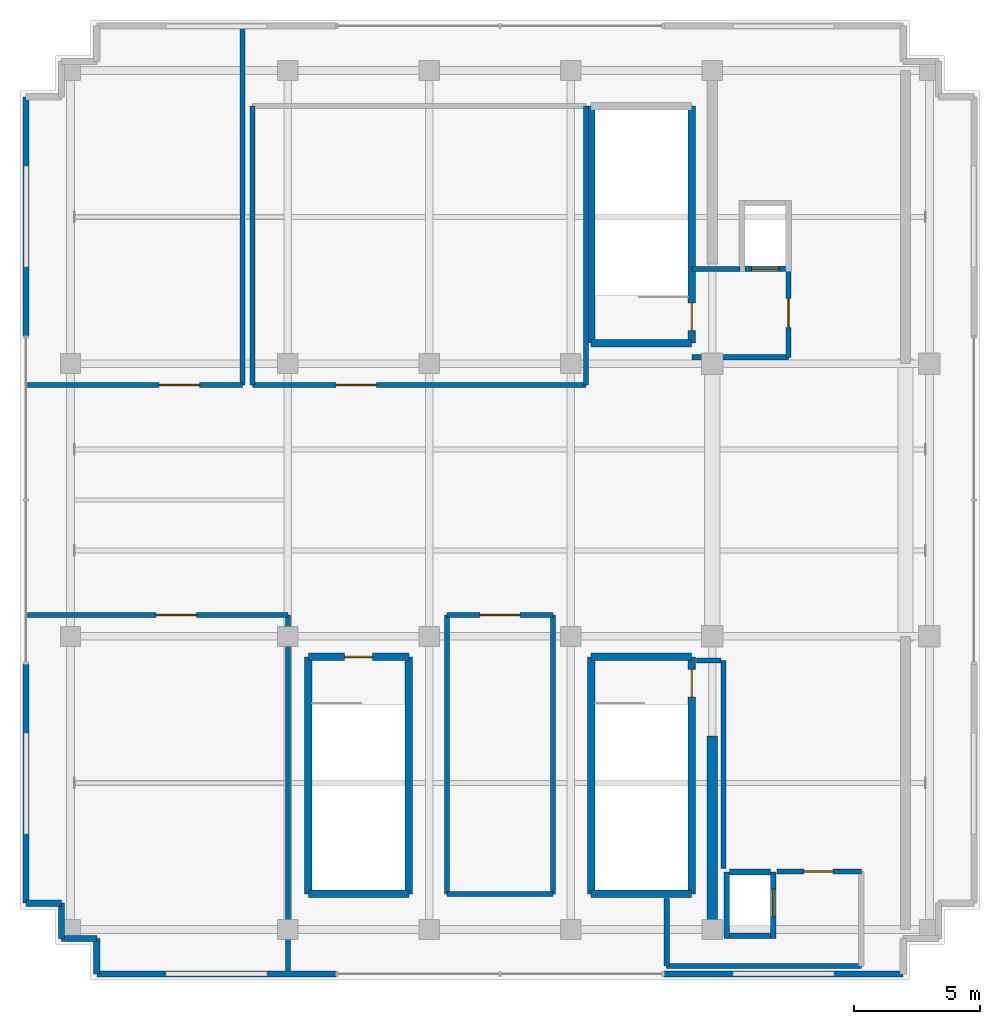
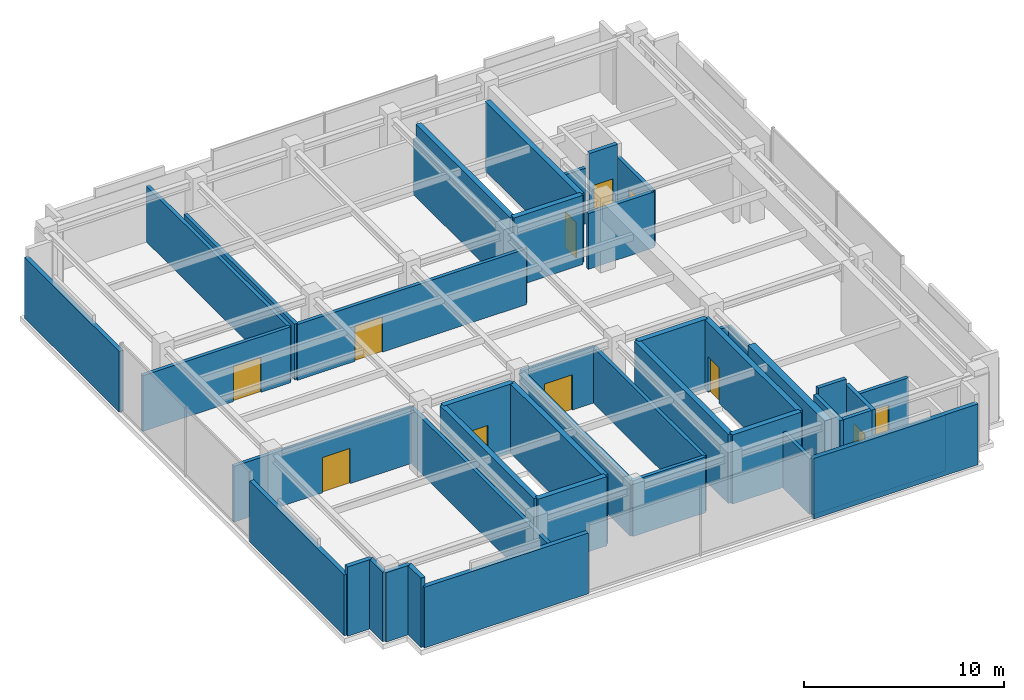
# One storey, part 19 of 21: 44 walls, 11 doors, 11 openings.
"""IFC4 building model written with IfcOpenShell, lengths in metres."""

from ifc_helpers import new_model, si_unit, direction, frame, frame_2d, origin, place, context, subcontext, project, spatial, rectangle, extrude, source, transform, mapped, material, layer, layer_set, type_object, element, fill, save


model = new_model("IFC4")

# Units and contexts
model_context = context("Model", 3, precision=1e-05, world=origin(), true_north=direction((0.0, 1.0)))
body_context = subcontext(model_context, "Body", "Model", "MODEL_VIEW")
ifc_project = project(units=[si_unit("LENGTHUNIT", "METRE"), si_unit("AREAUNIT", "SQUARE_METRE"), si_unit("VOLUMEUNIT", "CUBIC_METRE"), si_unit("PLANEANGLEUNIT", "RADIAN"), si_unit("MASSUNIT", "GRAM", prefix="KILO")], contexts=[model_context])

# Site, building, storey
site_placement = place(None, origin())
site = spatial("IfcSite", under=ifc_project, at=site_placement, CompositionType="ELEMENT")
building_placement = place(site_placement, origin())
building = spatial("IfcBuilding", under=site, at=building_placement, Name="Nahalor Promenade Grand Hotel", CompositionType="ELEMENT")
storey_placement = place(building_placement, frame((0.0, 0.0, 370.85009765625)))
storey = spatial("IfcBuildingStorey", under=building, at=storey_placement, Name="L94", CompositionType="ELEMENT", Elevation=370.85009765625)

# Walls
ifc_material_1 = material(Name="Concrete B-50 (C40/50)", Category="concrete")
ifc_layer_1 = layer(ifc_material_1, 0.39990234375)
ifc_layer_set_1 = layer_set([ifc_layer_1], Name="Concrete B-50 (C40/50)")
wall_type_1 = type_object("IfcWallType", Name="Wall-CoreShear-400", PredefinedType="SHEAR", material=ifc_layer_set_1)
shared_shape_1 = source(origin(), body_context, "Body", "SweptSolid", [
    extrude(rectangle(XDim=7.64990234375, YDim=0.39990234375, at=frame_2d((3.824951171875, 0.0))), origin(), (0.0, 0.0, 1.0), 4.219970703125),
])
wall_1_placement = place(storey_placement, frame((8.39990234375, -17.0, 0.0), z_axis=(0.0, 0.0, 1.0), x_axis=(0.0, 1.0, 0.0)))
element("IfcWall", 1, at=wall_1_placement, inside=storey, type_object=wall_type_1, Name="CWALL-L94-SW", PredefinedType="SHEAR", context=body_context, shape_type="MappedRepresentation", body=[
    mapped(shared_shape_1, transform((0.0, 0.0, 0.0), scale=1.0)),
])
ifc_layer_2 = layer(ifc_material_1, 0.300048828125)
ifc_layer_set_2 = layer_set([ifc_layer_2], Name="Concrete B-50 (C40/50)")
wall_type_2 = type_object("IfcWallType", Name="Wall-ShaftShear-300", PredefinedType="SHEAR", material=ifc_layer_set_2)
shared_shape_2 = source(origin(), body_context, "Body", "SweptSolid", [
    extrude(rectangle(XDim=3.97998046875, YDim=0.300048828125, at=frame_2d((1.989990234375, 0.0))), origin(), (0.0, 0.0, 1.0), 4.219970703125),
])
for number, where, z_axis, x_axis, name in (
    (2, (3.610107421875, 6.2099609375, 0.0), (0.0, 0.0, 1.0), (1.0, 0.0, 0.0), "L94 Exit Stair ST1 Shaft Wall S"),
    (3, (3.610107421875, -15.590087890625, 0.0), (0.0, 0.0, 1.0), (1.0, 0.0, 0.0), "L94 Exit Stair ST2 Shaft Wall S"),
    (4, (3.610107421875, -6.2099609375, 0.0), (0.0, 0.0, 1.0), (1.0, 0.0, 0.0), "L94 Exit Stair ST2 Shaft Wall N"),
    (5, (-7.590087890625, -15.590087890625, 0.0), (0.0, 0.0, 1.0), (1.0, 0.0, 0.0), "L94 Exit Stair ST3 Shaft Wall S"),
):
    element("IfcWall", number, at=place(storey_placement, frame(where, z_axis=z_axis, x_axis=x_axis)), inside=storey, type_object=wall_type_2, Name=name, PredefinedType="SHEAR", context=body_context, shape_type="MappedRepresentation", body=[
        mapped(shared_shape_2, transform((0.0, 0.0, 0.0), scale=1.0)),
    ])

# Wall, opening, door
wall_2_placement = place(storey_placement, frame((-7.590087890625, -6.2099609375, 0.0), z_axis=(0.0, 0.0, 1.0), x_axis=(1.0, 0.0, 0.0)))
wall_2 = element("IfcWall", 6, at=wall_2_placement, inside=storey, type_object=wall_type_2, Name="L94 Exit Stair ST3 Shaft Wall N", PredefinedType="SHEAR", context=body_context, shape_type="MappedRepresentation", body=[
    mapped(shared_shape_2, transform((0.0, 0.0, 0.0), scale=1.0)),
])
opening_1_placement = place(wall_2_placement, frame((1.43994140625, 0.0, 0.0)))
opening_1 = element("IfcOpeningElement", 7, at=opening_1_placement, cuts=wall_2, Name="Opening D-ST1", PredefinedType="OPENING", context=body_context, shape_type="SweptSolid", body=[
    extrude(rectangle(XDim=1.10009765625, YDim=2.14990234375, at=frame_2d((0.550048828125, 1.074951171875))), frame((0.0, 0.159912109375, 0.0), z_axis=(0.0, -1.0, 0.0), x_axis=(1.0, 0.0, 0.0)), (0.0, 0.0, 1.0), 0.320068359375),
])
ifc_material_2 = material(Name="Steel S355JR", Category="steel")
door_type_1 = type_object("IfcDoorType", Name="Door-StairFire-1100", OperationType="NOTDEFINED", PredefinedType="DOOR", material=ifc_material_2)
shared_shape_3 = source(origin(), body_context, "Body", "SweptSolid", [
    extrude(rectangle(XDim=1.10009765625, YDim=2.14990234375, at=frame_2d((0.550048828125, 1.074951171875))), frame((0.0, 0.02490234375, 0.0), z_axis=(0.0, -1.0, 0.0), x_axis=(1.0, 0.0, 0.0)), (0.0, 0.0, 1.0), 0.050048828125),
])
door_1_placement = place(opening_1_placement, frame((1.10009765625, 0.0, 0.0), z_axis=(0.0, 0.0, 1.0), x_axis=(-1.0, 0.0, 0.0)))
door_1 = element("IfcDoor", 8, at=door_1_placement, inside=storey, type_object=door_type_1, Name="DR-STAIR-ST3-L94", OperationType="SINGLE_SWING_LEFT", OverallHeight=2.14990234375, OverallWidth=1.10009765625, PredefinedType="DOOR", context=body_context, shape_type="MappedRepresentation", body=[
    mapped(shared_shape_3, transform((0.0, 0.0, 0.0), scale=1.0)),
])
fill(opening_1, door_1)

# Wall
shared_shape_4 = source(origin(), body_context, "Body", "SweptSolid", [
    extrude(rectangle(XDim=9.380126953125, YDim=0.300048828125, at=frame_2d((4.68994140625, 0.0))), origin(), (0.0, 0.0, 1.0), 4.219970703125),
])
wall_3_placement = place(storey_placement, frame((3.610107421875, 6.2099609375, 0.0), z_axis=(0.0, 0.0, 1.0), x_axis=(0.0, 1.0, 0.0)))
element("IfcWall", 9, at=wall_3_placement, inside=storey, type_object=wall_type_2, Name="L94 Exit Stair ST1 Shaft Wall W", PredefinedType="SHEAR", context=body_context, shape_type="MappedRepresentation", body=[
    mapped(shared_shape_4, transform((0.0, 0.0, 0.0), scale=1.0)),
])

# Wall, opening, door
wall_4_placement = place(storey_placement, frame((7.590087890625, 6.2099609375, 0.0), z_axis=(0.0, 0.0, 1.0), x_axis=(0.0, 1.0, 0.0)))
wall_4 = element("IfcWall", 10, at=wall_4_placement, inside=storey, type_object=wall_type_2, Name="L94 Exit Stair ST1 Shaft Wall E", PredefinedType="SHEAR", context=body_context, shape_type="MappedRepresentation", body=[
    mapped(shared_shape_4, transform((0.0, 0.0, 0.0), scale=1.0)),
])
opening_2_placement = place(wall_4_placement, frame((0.489990234375, 0.0, 0.0)))
opening_2 = element("IfcOpeningElement", 11, at=opening_2_placement, cuts=wall_4, Name="Opening D-ST1", PredefinedType="OPENING", context=body_context, shape_type="SweptSolid", body=[
    extrude(rectangle(XDim=1.10009765625, YDim=2.14990234375, at=frame_2d((0.550048828125, 1.074951171875))), frame((0.0, 0.159912109375, 0.0), z_axis=(0.0, -1.0, 0.0), x_axis=(1.0, 0.0, 0.0)), (0.0, 0.0, 1.0), 0.320068359375),
])
door_2_placement = place(opening_2_placement, origin())
door_2 = element("IfcDoor", 12, at=door_2_placement, inside=storey, type_object=door_type_1, Name="DR-STAIR-ST1-L94", OperationType="SINGLE_SWING_LEFT", OverallHeight=2.14990234375, OverallWidth=1.10009765625, PredefinedType="DOOR", context=body_context, shape_type="MappedRepresentation", body=[
    mapped(shared_shape_3, transform((0.0, 0.0, 0.0), scale=1.0)),
])
fill(opening_2, door_2)

# Wall
wall_5_placement = place(storey_placement, frame((3.610107421875, -15.590087890625, 0.0), z_axis=(0.0, 0.0, 1.0), x_axis=(0.0, 1.0, 0.0)))
element("IfcWall", 13, at=wall_5_placement, inside=storey, type_object=wall_type_2, Name="L94 Exit Stair ST2 Shaft Wall W", PredefinedType="SHEAR", context=body_context, shape_type="MappedRepresentation", body=[
    mapped(shared_shape_4, transform((0.0, 0.0, 0.0), scale=1.0)),
])

# Wall, opening, door
wall_6_placement = place(storey_placement, frame((7.590087890625, -15.590087890625, 0.0), z_axis=(0.0, 0.0, 1.0), x_axis=(0.0, 1.0, 0.0)))
wall_6 = element("IfcWall", 14, at=wall_6_placement, inside=storey, type_object=wall_type_2, Name="L94 Exit Stair ST2 Shaft Wall E", PredefinedType="SHEAR", context=body_context, shape_type="MappedRepresentation", body=[
    mapped(shared_shape_4, transform((0.0, 0.0, 0.0), scale=1.0)),
])
opening_3_placement = place(wall_6_placement, frame((7.7900390625, 0.0, 0.0)))
opening_3 = element("IfcOpeningElement", 15, at=opening_3_placement, cuts=wall_6, Name="Opening D-ST1", PredefinedType="OPENING", context=body_context, shape_type="SweptSolid", body=[
    extrude(rectangle(XDim=1.10009765625, YDim=2.14990234375, at=frame_2d((0.550048828125, 1.074951171875))), frame((0.0, 0.159912109375, 0.0), z_axis=(0.0, -1.0, 0.0), x_axis=(1.0, 0.0, 0.0)), (0.0, 0.0, 1.0), 0.320068359375),
])
door_3_placement = place(opening_3_placement, origin())
door_3 = element("IfcDoor", 16, at=door_3_placement, inside=storey, type_object=door_type_1, Name="DR-STAIR-ST2-L94", OperationType="SINGLE_SWING_LEFT", OverallHeight=2.14990234375, OverallWidth=1.10009765625, PredefinedType="DOOR", context=body_context, shape_type="MappedRepresentation", body=[
    mapped(shared_shape_3, transform((0.0, 0.0, 0.0), scale=1.0)),
])
fill(opening_3, door_3)

# Walls
for number, where, z_axis, x_axis, name in (
    (17, (-7.590087890625, -15.590087890625, 0.0), (0.0, 0.0, 1.0), (0.0, 1.0, 0.0), "L94 Exit Stair ST3 Shaft Wall W"),
    (18, (-3.610107421875, -15.590087890625, 0.0), (0.0, 0.0, 1.0), (0.0, 1.0, 0.0), "L94 Exit Stair ST3 Shaft Wall E"),
):
    element("IfcWall", number, at=place(storey_placement, frame(where, z_axis=z_axis, x_axis=x_axis)), inside=storey, type_object=wall_type_2, Name=name, PredefinedType="SHEAR", context=body_context, shape_type="MappedRepresentation", body=[
        mapped(shared_shape_4, transform((0.0, 0.0, 0.0), scale=1.0)),
    ])

# Wall, opening, door
ifc_layer_3 = layer(ifc_material_1, 0.219970703125)
ifc_layer_set_3 = layer_set([ifc_layer_3], Name="Concrete B-50 (C40/50)")
wall_type_3 = type_object("IfcWallType", Name="Wall-LiftShaft-220", PredefinedType="SHEAR", material=ifc_layer_set_3)
shared_shape_5 = source(origin(), body_context, "Body", "SweptSolid", [
    extrude(rectangle(XDim=1.6201171875, YDim=0.219970703125, at=frame_2d((0.81005859375, 0.0))), origin(), (0.0, 0.0, 1.0), 4.219970703125),
])
wall_7_placement = place(storey_placement, frame((9.68994140625, 9.14990234375, 0.0), z_axis=(0.0, 0.0, 1.0), x_axis=(1.0, 0.0, 0.0)))
wall_7 = element("IfcWall", 19, at=wall_7_placement, inside=storey, type_object=wall_type_3, Name="L94 Lift FL1 Hoistway Wall S", PredefinedType="SHEAR", context=body_context, shape_type="MappedRepresentation", body=[
    mapped(shared_shape_5, transform((0.0, 0.0, 0.0), scale=1.0)),
])
opening_4_placement = place(wall_7_placement, frame((0.260009765625, 0.0, 0.0)))
opening_4 = element("IfcOpeningElement", 20, at=opening_4_placement, cuts=wall_7, Name="Opening LD-02", PredefinedType="OPENING", context=body_context, shape_type="SweptSolid", body=[
    extrude(rectangle(XDim=1.10009765625, YDim=2.199951171875, at=frame_2d((0.550048828125, 1.10009765625))), frame((0.0, 0.119873046875, 0.0), z_axis=(0.0, -1.0, 0.0), x_axis=(1.0, 0.0, 0.0)), (0.0, 0.0, 1.0), 0.239990234375),
])
door_type_2 = type_object("IfcDoorType", Name="Door-LiftFF-1100", OperationType="DOUBLE_DOOR_SLIDING", PredefinedType="DOOR", material=ifc_material_2)
shared_shape_6 = source(origin(), body_context, "Body", "SweptSolid", [
    extrude(rectangle(XDim=1.10009765625, YDim=2.199951171875, at=frame_2d((0.550048828125, 1.10009765625))), frame((0.0, 0.02490234375, 0.0), z_axis=(0.0, -1.0, 0.0), x_axis=(1.0, 0.0, 0.0)), (0.0, 0.0, 1.0), 0.050048828125),
])
door_4_placement = place(opening_4_placement, frame((1.10009765625, 0.0, 0.0), z_axis=(0.0, 0.0, 1.0), x_axis=(-1.0, 0.0, 0.0)))
door_4 = element("IfcDoor", 21, at=door_4_placement, inside=storey, type_object=door_type_2, Name="DR-LIFT-FL1-L94", OperationType="DOUBLE_DOOR_SLIDING", OverallHeight=2.199951171875, OverallWidth=1.10009765625, PredefinedType="DOOR", context=body_context, shape_type="MappedRepresentation", body=[
    mapped(shared_shape_6, transform((0.0, 0.0, 0.0), scale=1.0)),
])
fill(opening_4, door_4)

# Walls
shared_shape_7 = source(origin(), body_context, "Body", "SweptSolid", [
    extrude(rectangle(XDim=1.619873046875, YDim=0.219970703125, at=frame_2d((0.81005859375, 0.0))), origin(), (0.0, 0.0, 1.0), 4.599853515625),
])
wall_8_placement = place(storey_placement, frame((9.090087890625, -14.72509765625, 0.0), z_axis=(0.0, 0.0, 1.0), x_axis=(1.0, 0.0, 0.0)))
element("IfcWall", 22, at=wall_8_placement, inside=storey, type_object=wall_type_3, Name="L94 Lift FL2 Hoistway Wall N", PredefinedType="SHEAR", context=body_context, shape_type="MappedRepresentation", body=[
    mapped(shared_shape_7, transform((0.0, 0.0, 0.0), scale=1.0)),
])
shared_shape_8 = source(origin(), body_context, "Body", "SweptSolid", [
    extrude(rectangle(XDim=2.635009765625, YDim=0.219970703125, at=frame_2d((1.3173828125, 0.0))), origin(), (0.0, 0.0, 1.0), 4.219970703125),
])
wall_9_placement = place(storey_placement, frame((8.97998046875, -17.360107421875, 0.0), z_axis=(0.0, 0.0, 1.0), x_axis=(0.0, 1.0, 0.0)))
element("IfcWall", 23, at=wall_9_placement, inside=storey, type_object=wall_type_3, Name="L94 Lift FL2 Hoistway Wall W", PredefinedType="SHEAR", context=body_context, shape_type="MappedRepresentation", body=[
    mapped(shared_shape_8, transform((0.0, 0.0, 0.0), scale=1.0)),
])

# Wall, opening, door
wall_10_placement = place(storey_placement, frame((10.820068359375, -17.360107421875, 0.0), z_axis=(0.0, 0.0, 1.0), x_axis=(0.0, 1.0, 0.0)))
wall_10 = element("IfcWall", 24, at=wall_10_placement, inside=storey, type_object=wall_type_3, Name="L94 Lift FL2 Hoistway Wall E", PredefinedType="SHEAR", context=body_context, shape_type="MappedRepresentation", body=[
    mapped(shared_shape_8, transform((0.0, 0.0, 0.0), scale=1.0)),
])
opening_5_placement = place(wall_10_placement, frame((0.860107421875, 0.0, 0.0)))
opening_5 = element("IfcOpeningElement", 25, at=opening_5_placement, cuts=wall_10, Name="Opening LD-02", PredefinedType="OPENING", context=body_context, shape_type="SweptSolid", body=[
    extrude(rectangle(XDim=1.10009765625, YDim=2.199951171875, at=frame_2d((0.550048828125, 1.10009765625))), frame((0.0, 0.119873046875, 0.0), z_axis=(0.0, -1.0, 0.0), x_axis=(1.0, 0.0, 0.0)), (0.0, 0.0, 1.0), 0.239990234375),
])
door_5_placement = place(opening_5_placement, frame((1.10009765625, 0.0, 0.0), z_axis=(0.0, 0.0, 1.0), x_axis=(-1.0, 0.0, 0.0)))
door_5 = element("IfcDoor", 26, at=door_5_placement, inside=storey, type_object=door_type_2, Name="DR-LIFT-FL2-L94", OperationType="DOUBLE_DOOR_SLIDING", OverallHeight=2.199951171875, OverallWidth=1.10009765625, PredefinedType="DOOR", context=body_context, shape_type="MappedRepresentation", body=[
    mapped(shared_shape_6, transform((0.0, 0.0, 0.0), scale=1.0)),
])
fill(opening_5, door_5)

# Walls
shared_shape_9 = source(origin(), body_context, "Body", "SweptSolid", [
    extrude(rectangle(XDim=1.619873046875, YDim=0.219970703125, at=frame_2d((0.81005859375, 0.0))), origin(), (0.0, 0.0, 1.0), 4.219970703125),
])
wall_11_placement = place(storey_placement, frame((9.090087890625, -17.25, 0.0), z_axis=(0.0, 0.0, 1.0), x_axis=(1.0, 0.0, 0.0)))
element("IfcWall", 27, at=wall_11_placement, inside=storey, type_object=wall_type_3, Name="L94 Lift FL2 Hoistway Wall S", PredefinedType="SHEAR", context=body_context, shape_type="MappedRepresentation", body=[
    mapped(shared_shape_9, transform((0.0, 0.0, 0.0), scale=1.0)),
])
ifc_material_3 = material(Name="Concrete B-40 (C32/40)", Category="concrete")
ifc_layer_4 = layer(ifc_material_3, 0.25)
ifc_layer_set_4 = layer_set([ifc_layer_4], Name="Concrete B-40 (C32/40)")
wall_type_4 = type_object("IfcWallType", Name="Wall-BronzePier-250", PredefinedType="STANDARD", material=ifc_layer_set_4)
shared_shape_10 = source(origin(), body_context, "Body", "SweptSolid", [
    extrude(rectangle(XDim=1.39990234375, YDim=0.25, at=frame_2d((0.699951171875, 0.0))), origin(), (0.0, 0.0, 1.0), 4.219970703125),
])
for number, where, z_axis, x_axis, name in (
    (28, (-18.760009765625, -15.9599609375, 0.0), (0.0, 0.0, 1.0), (1.0, 0.0, 0.0), "W-L94-SR-13"),
    (29, (-15.9599609375, -18.760009765625, 0.0), (0.0, 0.0, 1.0), (0.0, 1.0, 0.0), "W-L94-SR-16"),
):
    element("IfcWall", number, at=place(storey_placement, frame(where, z_axis=z_axis, x_axis=x_axis)), inside=storey, type_object=wall_type_4, Name=name, PredefinedType="STANDARD", context=body_context, shape_type="MappedRepresentation", body=[
        mapped(shared_shape_10, transform((0.0, 0.0, 0.0), scale=1.0)),
    ])
shared_shape_11 = source(origin(), body_context, "Body", "SweptSolid", [
    extrude(rectangle(XDim=1.400146484375, YDim=0.25, at=frame_2d((0.7001953125, 0.0))), origin(), (0.0, 0.0, 1.0), 4.219970703125),
])
for number, where, z_axis, x_axis, name in (
    (30, (-17.360107421875, -17.360107421875, 0.0), (0.0, 0.0, 1.0), (0.0, 1.0, 0.0), "W-L94-SR-14"),
    (31, (-17.360107421875, -17.360107421875, 0.0), (0.0, 0.0, 1.0), (1.0, 0.0, 0.0), "W-L94-SR-15"),
):
    element("IfcWall", number, at=place(storey_placement, frame(where, z_axis=z_axis, x_axis=x_axis)), inside=storey, type_object=wall_type_4, Name=name, PredefinedType="STANDARD", context=body_context, shape_type="MappedRepresentation", body=[
        mapped(shared_shape_11, transform((0.0, 0.0, 0.0), scale=1.0)),
    ])
shared_shape_12 = source(origin(), body_context, "Body", "SweptSolid", [
    extrude(rectangle(XDim=9.4599609375, YDim=0.25, at=frame_2d((4.72998046875, 0.0))), origin(), (0.0, 0.0, 1.0), 3.699951171875),
])
for number, where, z_axis, x_axis, name in (
    (32, (-15.9599609375, -18.760009765625, 0.0), (0.0, 0.0, 1.0), (1.0, 0.0, 0.0), "W-L94-PL-SL"),
    (33, (6.5, -18.760009765625, 0.0), (0.0, 0.0, 1.0), (1.0, 0.0, 0.0), "W-L94-PL-SR"),
    (34, (-18.760009765625, -15.9599609375, 0.0), (0.0, 0.0, 1.0), (0.0, 1.0, 0.0), "W-L94-PL-WL"),
    (35, (-18.760009765625, 6.5, 0.0), (0.0, 0.0, 1.0), (0.0, 1.0, 0.0), "W-L94-PL-WR"),
):
    element("IfcWall", number, at=place(storey_placement, frame(where, z_axis=z_axis, x_axis=x_axis)), inside=storey, type_object=wall_type_4, Name=name, PredefinedType="STANDARD", context=body_context, shape_type="MappedRepresentation", body=[
        mapped(shared_shape_12, transform((0.0, 0.0, 0.0), scale=1.0)),
    ])
ifc_layer_5 = layer(ifc_material_3, 0.199951171875)
ifc_layer_set_5 = layer_set([ifc_layer_5], Name="Concrete B-40 (C32/40)")
wall_type_5 = type_object("IfcWallType", Name="Wall-PartFire-200", PredefinedType="PARTITIONING", material=ifc_layer_set_5)
shared_shape_13 = source(origin(), body_context, "Body", "SweptSolid", [
    extrude(rectangle(XDim=3.81982421875, YDim=0.199951171875, at=frame_2d((1.909912109375, 0.0))), origin(), (0.0, 0.0, 1.0), 3.39990234375),
])
wall_12_placement = place(storey_placement, frame((7.60009765625, 5.64990234375, 0.0), z_axis=(0.0, 0.0, 1.0), x_axis=(1.0, 0.0, 0.0)))
element("IfcWall", 36, at=wall_12_placement, inside=storey, type_object=wall_type_5, Name="W-L94-FF1-S", PredefinedType="PARTITIONING", context=body_context, shape_type="MappedRepresentation", body=[
    mapped(shared_shape_13, transform((0.0, 0.0, 0.0), scale=1.0)),
])
shared_shape_14 = source(origin(), body_context, "Body", "SweptSolid", [
    extrude(rectangle(XDim=1.89990234375, YDim=0.199951171875, at=frame_2d((0.949951171875, 0.0))), origin(), (0.0, 0.0, 1.0), 3.39990234375),
])
wall_13_placement = place(storey_placement, frame((7.60009765625, 9.14990234375, 0.0), z_axis=(0.0, 0.0, 1.0), x_axis=(1.0, 0.0, 0.0)))
element("IfcWall", 37, at=wall_13_placement, inside=storey, type_object=wall_type_5, Name="W-L94-FF1-N", PredefinedType="PARTITIONING", context=body_context, shape_type="MappedRepresentation", body=[
    mapped(shared_shape_14, transform((0.0, 0.0, 0.0), scale=1.0)),
])

# Wall, opening, door
shared_shape_15 = source(origin(), body_context, "Body", "SweptSolid", [
    extrude(rectangle(XDim=3.5, YDim=0.199951171875, at=frame_2d((1.75, 0.0))), origin(), (0.0, 0.0, 1.0), 3.39990234375),
])
wall_14_placement = place(storey_placement, frame((11.419921875, 5.64990234375, 0.0), z_axis=(0.0, 0.0, 1.0), x_axis=(0.0, 1.0, 0.0)))
wall_14 = element("IfcWall", 38, at=wall_14_placement, inside=storey, type_object=wall_type_5, Name="W-L94-FF1-E", PredefinedType="PARTITIONING", context=body_context, shape_type="MappedRepresentation", body=[
    mapped(shared_shape_15, transform((0.0, 0.0, 0.0), scale=1.0)),
])
opening_6_placement = place(wall_14_placement, frame((1.175048828125, 0.0, 0.0)))
opening_6 = element("IfcOpeningElement", 39, at=opening_6_placement, cuts=wall_14, Name="Opening D-FF1", PredefinedType="OPENING", context=body_context, shape_type="SweptSolid", body=[
    extrude(rectangle(XDim=1.14990234375, YDim=2.14990234375, at=frame_2d((0.574951171875, 1.074951171875))), frame((0.0, 0.10986328125, 0.0), z_axis=(0.0, -1.0, 0.0), x_axis=(1.0, 0.0, 0.0)), (0.0, 0.0, 1.0), 0.219970703125),
])
door_type_3 = type_object("IfcDoorType", Name="Door-FFLobby-1150", OperationType="NOTDEFINED", PredefinedType="DOOR", material=ifc_material_2)
shared_shape_16 = source(origin(), body_context, "Body", "SweptSolid", [
    extrude(rectangle(XDim=1.14990234375, YDim=2.14990234375, at=frame_2d((0.574951171875, 1.074951171875))), frame((0.0, 0.02490234375, 0.0), z_axis=(0.0, -1.0, 0.0), x_axis=(1.0, 0.0, 0.0)), (0.0, 0.0, 1.0), 0.050048828125),
])
door_6_placement = place(opening_6_placement, frame((1.14990234375, 0.0, 0.0), z_axis=(0.0, 0.0, 1.0), x_axis=(-1.0, 0.0, 0.0)))
door_6 = element("IfcDoor", 40, at=door_6_placement, inside=storey, type_object=door_type_3, Name="DR-L94-FFL1", OperationType="SINGLE_SWING_LEFT", OverallHeight=2.14990234375, OverallWidth=1.14990234375, PredefinedType="DOOR", context=body_context, shape_type="MappedRepresentation", body=[
    mapped(shared_shape_16, transform((0.0, 0.0, 0.0), scale=1.0)),
])
fill(opening_6, door_6)

# Walls
shared_shape_17 = source(origin(), body_context, "Body", "SweptSolid", [
    extrude(rectangle(XDim=0.969970703125, YDim=0.199951171875, at=frame_2d((0.48486328125, 0.0))), origin(), (0.0, 0.0, 1.0), 3.39990234375),
])
wall_15_placement = place(storey_placement, frame((7.77001953125, -6.35009765625, 0.0), z_axis=(0.0, 0.0, 1.0), x_axis=(1.0, 0.0, 0.0)))
element("IfcWall", 41, at=wall_15_placement, inside=storey, type_object=wall_type_5, Name="W-L94-FF2-N2", PredefinedType="PARTITIONING", context=body_context, shape_type="MappedRepresentation", body=[
    mapped(shared_shape_17, transform((0.0, 0.0, 0.0), scale=1.0)),
])
shared_shape_18 = source(origin(), body_context, "Body", "SweptSolid", [
    extrude(rectangle(XDim=8.22998046875, YDim=0.199951171875, at=frame_2d((4.114990234375, 0.0))), origin(), (0.0, 0.0, 1.0), 3.39990234375),
])
wall_16_placement = place(storey_placement, frame((8.840087890625, -14.580078125, 0.0), z_axis=(0.0, 0.0, 1.0), x_axis=(0.0, 1.0, 0.0)))
element("IfcWall", 42, at=wall_16_placement, inside=storey, type_object=wall_type_5, Name="W-L94-FF2-M", PredefinedType="PARTITIONING", context=body_context, shape_type="MappedRepresentation", body=[
    mapped(shared_shape_18, transform((0.0, 0.0, 0.0), scale=1.0)),
])
shared_shape_19 = source(origin(), body_context, "Body", "SweptSolid", [
    extrude(rectangle(XDim=14.14990234375, YDim=0.199951171875, at=frame_2d((7.074951171875, 0.0))), origin(), (0.0, 0.0, 1.0), 3.39990234375),
])
for number, where, z_axis, x_axis, name in (
    (43, (-10.199951171875, 4.550048828125, 0.0), (0.0, 0.0, 1.0), (0.0, 1.0, 0.0), "W-L94-MP1-E"),
    (44, (-8.39990234375, -18.699951171875, 0.0), (0.0, 0.0, 1.0), (0.0, 1.0, 0.0), "W-L94-MP3-E"),
):
    element("IfcWall", number, at=place(storey_placement, frame(where, z_axis=z_axis, x_axis=x_axis)), inside=storey, type_object=wall_type_5, Name=name, PredefinedType="PARTITIONING", context=body_context, shape_type="MappedRepresentation", body=[
        mapped(shared_shape_19, transform((0.0, 0.0, 0.0), scale=1.0)),
    ])
shared_shape_20 = source(origin(), body_context, "Body", "SweptSolid", [
    extrude(rectangle(XDim=7.699951171875, YDim=0.199951171875, at=frame_2d((3.85009765625, 0.0))), origin(), (0.0, 0.0, 1.0), 3.39990234375),
])
wall_17_placement = place(storey_placement, frame((6.60009765625, -18.449951171875, 0.0), z_axis=(0.0, 0.0, 1.0), x_axis=(1.0, 0.0, 0.0)))
element("IfcWall", 45, at=wall_17_placement, inside=storey, type_object=wall_type_5, Name="W-L94-FF2-S1", PredefinedType="PARTITIONING", context=body_context, shape_type="MappedRepresentation", body=[
    mapped(shared_shape_20, transform((0.0, 0.0, 0.0), scale=1.0)),
])
shared_shape_21 = source(origin(), body_context, "Body", "SweptSolid", [
    extrude(rectangle(XDim=2.679931640625, YDim=0.199951171875, at=frame_2d((1.33984375, 0.0))), origin(), (0.0, 0.0, 1.0), 3.39990234375),
])
wall_18_placement = place(storey_placement, frame((6.60009765625, -18.449951171875, 0.0), z_axis=(0.0, 0.0, 1.0), x_axis=(0.0, 1.0, 0.0)))
element("IfcWall", 46, at=wall_18_placement, inside=storey, type_object=wall_type_5, Name="W-L94-FF2-W1", PredefinedType="PARTITIONING", context=body_context, shape_type="MappedRepresentation", body=[
    mapped(shared_shape_21, transform((0.0, 0.0, 0.0), scale=1.0)),
])

# Wall, opening, door
shared_shape_22 = source(origin(), body_context, "Body", "SweptSolid", [
    extrude(rectangle(XDim=3.340087890625, YDim=0.199951171875, at=frame_2d((1.669921875, 0.0))), origin(), (0.0, 0.0, 1.0), 3.39990234375),
])
wall_19_placement = place(storey_placement, frame((10.9599609375, -14.699951171875, 0.0), z_axis=(0.0, 0.0, 1.0), x_axis=(1.0, 0.0, 0.0)))
wall_19 = element("IfcWall", 47, at=wall_19_placement, inside=storey, type_object=wall_type_5, Name="W-L94-FF2-N1", PredefinedType="PARTITIONING", context=body_context, shape_type="MappedRepresentation", body=[
    mapped(shared_shape_22, transform((0.0, 0.0, 0.0), scale=1.0)),
])
opening_7_placement = place(wall_19_placement, frame((1.06494140625, 0.0, 0.0)))
opening_7 = element("IfcOpeningElement", 48, at=opening_7_placement, cuts=wall_19, Name="Opening D-FF1", PredefinedType="OPENING", context=body_context, shape_type="SweptSolid", body=[
    extrude(rectangle(XDim=1.14990234375, YDim=2.14990234375, at=frame_2d((0.574951171875, 1.074951171875))), frame((0.0, 0.10986328125, 0.0), z_axis=(0.0, -1.0, 0.0), x_axis=(1.0, 0.0, 0.0)), (0.0, 0.0, 1.0), 0.219970703125),
])
door_7_placement = place(opening_7_placement, origin())
door_7 = element("IfcDoor", 49, at=door_7_placement, inside=storey, type_object=door_type_3, Name="DR-L94-FFL2", OperationType="SINGLE_SWING_RIGHT", OverallHeight=2.14990234375, OverallWidth=1.14990234375, PredefinedType="DOOR", context=body_context, shape_type="MappedRepresentation", body=[
    mapped(shared_shape_16, transform((0.0, 0.0, 0.0), scale=1.0)),
])
fill(opening_7, door_7)

# Walls
shared_shape_23 = source(origin(), body_context, "Body", "SweptSolid", [
    extrude(rectangle(XDim=11.050048828125, YDim=0.199951171875, at=frame_2d((5.52490234375, 0.0))), origin(), (0.0, 0.0, 1.0), 3.39990234375),
])
for number, where, z_axis, x_axis, name in (
    (50, (-9.800048828125, 4.550048828125, 0.0), (0.0, 0.0, 1.0), (0.0, 1.0, 0.0), "W-L94-MP2-W"),
    (51, (3.39990234375, 4.550048828125, 0.0), (0.0, 0.0, 1.0), (0.0, 1.0, 0.0), "W-L94-MP2-E"),
    (52, (-2.10009765625, -15.60009765625, 0.0), (0.0, 0.0, 1.0), (0.0, 1.0, 0.0), "W-L94-MP4-W"),
    (53, (2.10009765625, -15.60009765625, 0.0), (0.0, 0.0, 1.0), (0.0, 1.0, 0.0), "W-L94-MP4-E"),
):
    element("IfcWall", number, at=place(storey_placement, frame(where, z_axis=z_axis, x_axis=x_axis)), inside=storey, type_object=wall_type_5, Name=name, PredefinedType="PARTITIONING", context=body_context, shape_type="MappedRepresentation", body=[
        mapped(shared_shape_23, transform((0.0, 0.0, 0.0), scale=1.0)),
    ])

# Wall, opening, door
shared_shape_24 = source(origin(), body_context, "Body", "SweptSolid", [
    extrude(rectangle(XDim=10.300048828125, YDim=0.199951171875, at=frame_2d((5.14990234375, 0.0))), origin(), (0.0, 0.0, 1.0), 3.39990234375),
])
wall_20_placement = place(storey_placement, frame((-18.699951171875, -4.550048828125, 0.0), z_axis=(0.0, 0.0, 1.0), x_axis=(1.0, 0.0, 0.0)))
wall_20 = element("IfcWall", 54, at=wall_20_placement, inside=storey, type_object=wall_type_5, Name="W-L94-MP3-N", PredefinedType="PARTITIONING", context=body_context, shape_type="MappedRepresentation", body=[
    mapped(shared_shape_24, transform((0.0, 0.0, 0.0), scale=1.0)),
])
opening_8_placement = place(wall_20_placement, frame((5.093017578125, 0.0, 0.0)))
opening_8 = element("IfcOpeningElement", 55, at=opening_8_placement, cuts=wall_20, Name="Opening D-06", PredefinedType="OPENING", context=body_context, shape_type="SweptSolid", body=[
    extrude(rectangle(XDim=1.60009765625, YDim=2.14990234375, at=frame_2d((0.800048828125, 1.074951171875))), frame((0.0, 0.10986328125, 0.0), z_axis=(0.0, -1.0, 0.0), x_axis=(1.0, 0.0, 0.0)), (0.0, 0.0, 1.0), 0.219970703125),
])
door_type_4 = type_object("IfcDoorType", Name="Door-PlantDouble-1600", OperationType="DOUBLE_DOOR_SINGLE_SWING", PredefinedType="DOOR", material=ifc_material_2)
shared_shape_25 = source(origin(), body_context, "Body", "SweptSolid", [
    extrude(rectangle(XDim=1.60009765625, YDim=2.14990234375, at=frame_2d((0.800048828125, 1.074951171875))), frame((0.0, 0.02490234375, 0.0), z_axis=(0.0, -1.0, 0.0), x_axis=(1.0, 0.0, 0.0)), (0.0, 0.0, 1.0), 0.050048828125),
])
door_8_placement = place(opening_8_placement, frame((1.60009765625, 0.0, 0.0), z_axis=(0.0, 0.0, 1.0), x_axis=(-1.0, 0.0, 0.0)))
door_8 = element("IfcDoor", 56, at=door_8_placement, inside=storey, type_object=door_type_4, Name="DR-L94-MP3", OperationType="DOUBLE_DOOR_SINGLE_SWING", OverallHeight=2.14990234375, OverallWidth=1.60009765625, PredefinedType="DOOR", context=body_context, shape_type="MappedRepresentation", body=[
    mapped(shared_shape_25, transform((0.0, 0.0, 0.0), scale=1.0)),
])
fill(opening_8, door_8)

# Wall
shared_shape_26 = source(origin(), body_context, "Body", "SweptSolid", [
    extrude(rectangle(XDim=4.2001953125, YDim=0.199951171875, at=frame_2d((2.10009765625, 0.0))), origin(), (0.0, 0.0, 1.0), 3.39990234375),
])
wall_21_placement = place(storey_placement, frame((-2.10009765625, -15.60009765625, 0.0), z_axis=(0.0, 0.0, 1.0), x_axis=(1.0, 0.0, 0.0)))
element("IfcWall", 57, at=wall_21_placement, inside=storey, type_object=wall_type_5, Name="W-L94-MP4-S", PredefinedType="PARTITIONING", context=body_context, shape_type="MappedRepresentation", body=[
    mapped(shared_shape_26, transform((0.0, 0.0, 0.0), scale=1.0)),
])

# Wall, opening, door
wall_22_placement = place(storey_placement, frame((-2.10009765625, -4.550048828125, 0.0), z_axis=(0.0, 0.0, 1.0), x_axis=(1.0, 0.0, 0.0)))
wall_22 = element("IfcWall", 58, at=wall_22_placement, inside=storey, type_object=wall_type_5, Name="W-L94-MP4-N", PredefinedType="PARTITIONING", context=body_context, shape_type="MappedRepresentation", body=[
    mapped(shared_shape_26, transform((0.0, 0.0, 0.0), scale=1.0)),
])
opening_9_placement = place(wall_22_placement, frame((1.300048828125, 0.0, 0.0)))
opening_9 = element("IfcOpeningElement", 59, at=opening_9_placement, cuts=wall_22, Name="Opening D-06", PredefinedType="OPENING", context=body_context, shape_type="SweptSolid", body=[
    extrude(rectangle(XDim=1.60009765625, YDim=2.14990234375, at=frame_2d((0.800048828125, 1.074951171875))), frame((0.0, 0.10986328125, 0.0), z_axis=(0.0, -1.0, 0.0), x_axis=(1.0, 0.0, 0.0)), (0.0, 0.0, 1.0), 0.219970703125),
])
door_9_placement = place(opening_9_placement, frame((1.60009765625, 0.0, 0.0), z_axis=(0.0, 0.0, 1.0), x_axis=(-1.0, 0.0, 0.0)))
door_9 = element("IfcDoor", 60, at=door_9_placement, inside=storey, type_object=door_type_4, Name="DR-L94-MP4", OperationType="DOUBLE_DOOR_SINGLE_SWING", OverallHeight=2.14990234375, OverallWidth=1.60009765625, PredefinedType="DOOR", context=body_context, shape_type="MappedRepresentation", body=[
    mapped(shared_shape_25, transform((0.0, 0.0, 0.0), scale=1.0)),
])
fill(opening_9, door_9)

shared_shape_27 = source(origin(), body_context, "Body", "SweptSolid", [
    extrude(rectangle(XDim=8.5, YDim=0.199951171875, at=frame_2d((4.25, 0.0))), origin(), (0.0, 0.0, 1.0), 3.39990234375),
])
wall_23_placement = place(storey_placement, frame((-18.699951171875, 4.550048828125, 0.0), z_axis=(0.0, 0.0, 1.0), x_axis=(1.0, 0.0, 0.0)))
wall_23 = element("IfcWall", 61, at=wall_23_placement, inside=storey, type_object=wall_type_5, Name="W-L94-MP1-S", PredefinedType="PARTITIONING", context=body_context, shape_type="MappedRepresentation", body=[
    mapped(shared_shape_27, transform((0.0, 0.0, 0.0), scale=1.0)),
])
opening_10_placement = place(wall_23_placement, frame((5.2080078125, 0.0, 0.0)))
opening_10 = element("IfcOpeningElement", 62, at=opening_10_placement, cuts=wall_23, Name="Opening D-06", PredefinedType="OPENING", context=body_context, shape_type="SweptSolid", body=[
    extrude(rectangle(XDim=1.60009765625, YDim=2.14990234375, at=frame_2d((0.800048828125, 1.074951171875))), frame((0.0, 0.10986328125, 0.0), z_axis=(0.0, -1.0, 0.0), x_axis=(1.0, 0.0, 0.0)), (0.0, 0.0, 1.0), 0.219970703125),
])
door_10_placement = place(opening_10_placement, origin())
door_10 = element("IfcDoor", 63, at=door_10_placement, inside=storey, type_object=door_type_4, Name="DR-L94-MP1", OperationType="DOUBLE_DOOR_SINGLE_SWING", OverallHeight=2.14990234375, OverallWidth=1.60009765625, PredefinedType="DOOR", context=body_context, shape_type="MappedRepresentation", body=[
    mapped(shared_shape_25, transform((0.0, 0.0, 0.0), scale=1.0)),
])
fill(opening_10, door_10)

shared_shape_28 = source(origin(), body_context, "Body", "SweptSolid", [
    extrude(rectangle(XDim=13.199951171875, YDim=0.199951171875, at=frame_2d((6.60009765625, 0.0))), origin(), (0.0, 0.0, 1.0), 3.39990234375),
])
wall_24_placement = place(storey_placement, frame((-9.800048828125, 4.550048828125, 0.0), z_axis=(0.0, 0.0, 1.0), x_axis=(1.0, 0.0, 0.0)))
wall_24 = element("IfcWall", 64, at=wall_24_placement, inside=storey, type_object=wall_type_5, Name="W-L94-MP2-S", PredefinedType="PARTITIONING", context=body_context, shape_type="MappedRepresentation", body=[
    mapped(shared_shape_28, transform((0.0, 0.0, 0.0), scale=1.0)),
])
opening_11_placement = place(wall_24_placement, frame((3.31298828125, 0.0, 0.0)))
opening_11 = element("IfcOpeningElement", 65, at=opening_11_placement, cuts=wall_24, Name="Opening D-06", PredefinedType="OPENING", context=body_context, shape_type="SweptSolid", body=[
    extrude(rectangle(XDim=1.60009765625, YDim=2.14990234375, at=frame_2d((0.800048828125, 1.074951171875))), frame((0.0, 0.10986328125, 0.0), z_axis=(0.0, -1.0, 0.0), x_axis=(1.0, 0.0, 0.0)), (0.0, 0.0, 1.0), 0.219970703125),
])
door_11_placement = place(opening_11_placement, origin())
door_11 = element("IfcDoor", 66, at=door_11_placement, inside=storey, type_object=door_type_4, Name="DR-L94-MP2", OperationType="DOUBLE_DOOR_SINGLE_SWING", OverallHeight=2.14990234375, OverallWidth=1.60009765625, PredefinedType="DOOR", context=body_context, shape_type="MappedRepresentation", body=[
    mapped(shared_shape_25, transform((0.0, 0.0, 0.0), scale=1.0)),
])
fill(opening_11, door_11)

save(model, "model.ifc")
